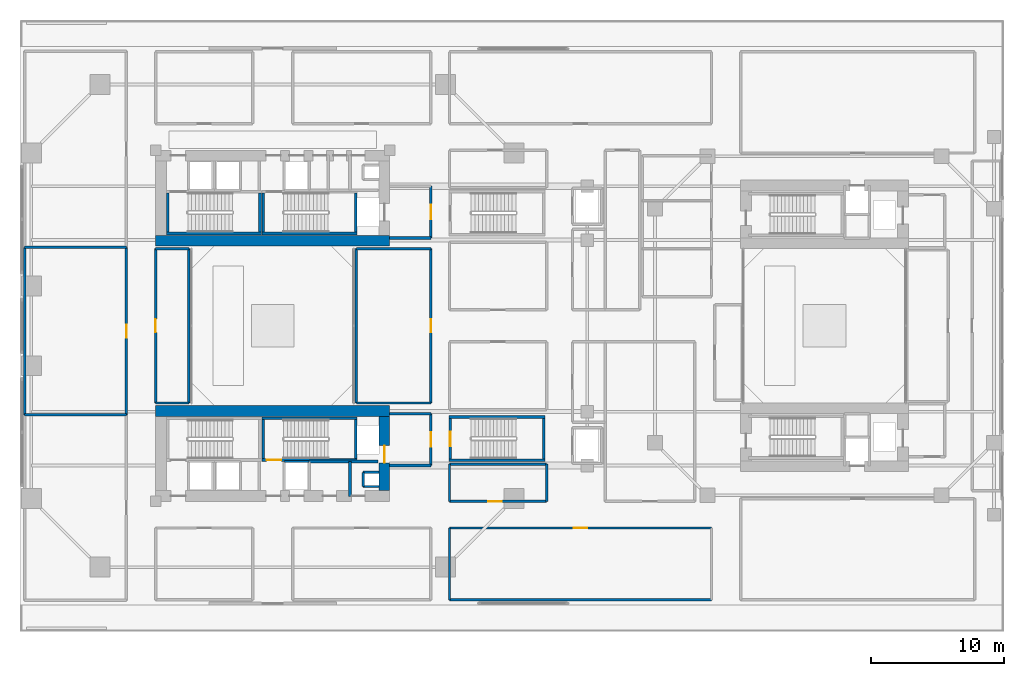
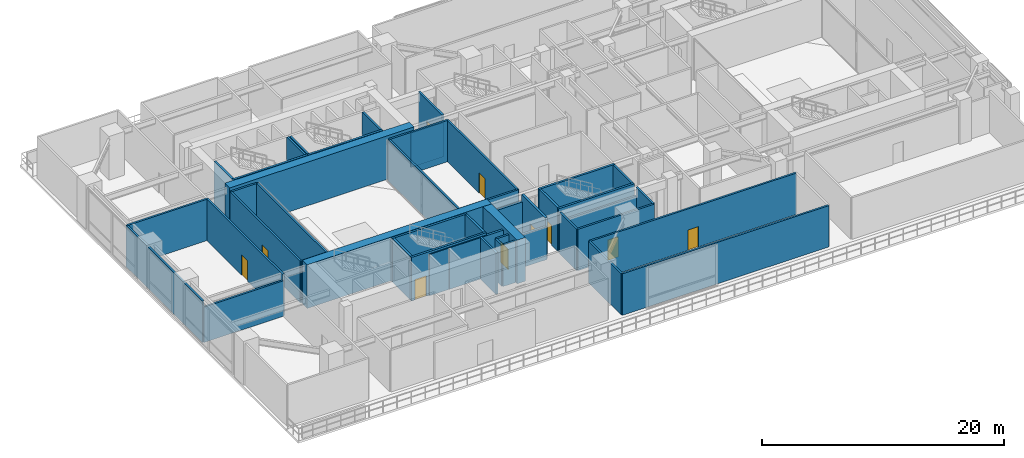
# One storey, part 11 of 19: 47 walls, 10 doors, 10 openings.
"""IFC4 building model written with IfcOpenShell, lengths in metres."""

from ifc_helpers import new_model, si_unit, direction, frame, frame_2d, origin, place, context, subcontext, project, spatial, rectangle, extrude, source, transform, mapped, material, layer, layer_set, type_object, element, fill, save


model = new_model("IFC4")

# Units and contexts
model_context = context("Model", 3, precision=1e-05, world=origin(), true_north=direction((0.0, 1.0)))
body_context = subcontext(model_context, "Body", "Model", "MODEL_VIEW")
ifc_project = project(units=[si_unit("LENGTHUNIT", "METRE"), si_unit("AREAUNIT", "SQUARE_METRE"), si_unit("VOLUMEUNIT", "CUBIC_METRE"), si_unit("PLANEANGLEUNIT", "RADIAN"), si_unit("MASSUNIT", "GRAM", prefix="KILO"), si_unit("THERMODYNAMICTEMPERATUREUNIT", "KELVIN"), si_unit("POWERUNIT", "WATT")], contexts=[model_context])

# Site, building, storey
site_placement = place(None, origin())
site = spatial("IfcSite", under=ifc_project, at=site_placement, CompositionType="ELEMENT")
building_placement = place(site_placement, origin())
building = spatial("IfcBuilding", under=site, at=building_placement, Name="Qiaomeng Ring Towers", CompositionType="ELEMENT")
storey_placement = place(building_placement, frame((0.0, 0.0, 5.0)))
storey = spatial("IfcBuildingStorey", under=building, at=storey_placement, Name="L01", CompositionType="ELEMENT", Elevation=5.0)

# Wall
ifc_material_1 = material(Name="Autoclaved aerated concrete block", Category="concrete")
ifc_layer_1 = layer(ifc_material_1, 0.199951171875, Name="Autoclaved aerated concrete block")
ifc_layer_set_1 = layer_set([ifc_layer_1], Name="Autoclaved aerated concrete block")
wall_type_1 = type_object("IfcWallType", Name="ARC-WL-PW1", PredefinedType="PARTITIONING", material=ifc_layer_set_1)
wall_1_placement = place(storey_placement, frame((27.800048828125, 29.60009765625, 0.0), z_axis=(0.0, 0.0, 1.0), x_axis=(1.0, 0.0, 0.0)))
element("IfcWall", 1, at=wall_1_placement, inside=storey, type_object=wall_type_1, Name="L01 Interior Wall PW1", PredefinedType="PARTITIONING", context=body_context, shape_type="SweptSolid", body=[
    extrude(rectangle(XDim=3.099853515625, YDim=0.199951171875, at=frame_2d((1.5498046875, 0.0))), origin(), (0.0, 0.0, 1.0), 3.47509765625),
])

# Wall, opening, door
wall_2_placement = place(storey_placement, frame((30.89990234375, 29.60009765625, 0.0), z_axis=(0.0, 0.0, 1.0), x_axis=(0.0, 1.0, 0.0)))
wall_2 = element("IfcWall", 2, at=wall_2_placement, inside=storey, type_object=wall_type_1, Name="L01 Interior Wall PW1", PredefinedType="PARTITIONING", context=body_context, shape_type="SweptSolid", body=[
    extrude(rectangle(XDim=3.89990234375, YDim=0.199951171875, at=frame_2d((1.949951171875, 0.0))), origin(), (0.0, 0.0, 1.0), 4.179931640625),
])
opening_1_placement = place(wall_2_placement, frame((1.39990234375, 0.0, 0.0)))
opening_1 = element("IfcOpeningElement", 3, at=opening_1_placement, cuts=wall_2, Name="Opening FD3", PredefinedType="OPENING", context=body_context, shape_type="SweptSolid", body=[
    extrude(rectangle(XDim=1.10009765625, YDim=2.050048828125, at=frame_2d((0.550048828125, 1.02490234375))), frame((0.0, 0.10986328125, 0.0), z_axis=(0.0, -1.0, 0.0), x_axis=(1.0, 0.0, 0.0)), (0.0, 0.0, 1.0), 0.219970703125),
])
ifc_material_2 = material(Name="Galvanised steel", Category="steel")
door_type_1 = type_object("IfcDoorType", Name="ARC-DR-FD3", OperationType="NOTDEFINED", PredefinedType="DOOR", material=ifc_material_2)
shared_shape_1 = source(origin(), body_context, "Body", "SweptSolid", [
    extrude(rectangle(XDim=1.10009765625, YDim=2.050048828125, at=frame_2d((0.550048828125, 1.02490234375))), frame((0.0, 0.02490234375, 0.0), z_axis=(0.0, -1.0, 0.0), x_axis=(1.0, 0.0, 0.0)), (0.0, 0.0, 1.0), 0.050048828125),
])
door_1_placement = place(opening_1_placement, origin())
door_1 = element("IfcDoor", 4, at=door_1_placement, inside=storey, type_object=door_type_1, Name="L01 North FF Lobby Door", OperationType="SINGLE_SWING_RIGHT", OverallHeight=2.050048828125, OverallWidth=1.10009765625, PredefinedType="DOOR", context=body_context, shape_type="MappedRepresentation", body=[
    mapped(shared_shape_1, transform((0.0, 0.0, 0.0), x_axis=(1.0, 0.0, 0.0), y_axis=(0.0, 1.0, 0.0), z_axis=(0.0, 0.0, 1.0), scale=1.0)),
])
fill(opening_1, door_1)

# Walls
wall_3_placement = place(storey_placement, frame((27.800048828125, 16.39990234375, 0.0), z_axis=(0.0, 0.0, 1.0), x_axis=(1.0, 0.0, 0.0)))
element("IfcWall", 5, at=wall_3_placement, inside=storey, type_object=wall_type_1, Name="L01 Interior Wall PW1", PredefinedType="PARTITIONING", context=body_context, shape_type="SweptSolid", body=[
    extrude(rectangle(XDim=3.099853515625, YDim=0.199951171875, at=frame_2d((1.5498046875, 0.0))), origin(), (0.0, 0.0, 1.0), 3.47509765625),
])
wall_4_placement = place(storey_placement, frame((27.800048828125, 12.5, 0.0), z_axis=(0.0, 0.0, 1.0), x_axis=(1.0, 0.0, 0.0)))
element("IfcWall", 6, at=wall_4_placement, inside=storey, type_object=wall_type_1, Name="L01 Interior Wall PW1", PredefinedType="PARTITIONING", context=body_context, shape_type="SweptSolid", body=[
    extrude(rectangle(XDim=3.099853515625, YDim=0.199951171875, at=frame_2d((1.5498046875, 0.0))), origin(), (0.0, 0.0, 1.0), 3.324951171875),
])

# Wall, opening, door
wall_5_placement = place(storey_placement, frame((30.89990234375, 12.5, 0.0), z_axis=(0.0, 0.0, 1.0), x_axis=(0.0, 1.0, 0.0)))
wall_5 = element("IfcWall", 7, at=wall_5_placement, inside=storey, type_object=wall_type_1, Name="L01 Interior Wall PW1", PredefinedType="PARTITIONING", context=body_context, shape_type="SweptSolid", body=[
    extrude(rectangle(XDim=3.89990234375, YDim=0.199951171875, at=frame_2d((1.949951171875, 0.0))), origin(), (0.0, 0.0, 1.0), 4.179931640625),
])
opening_2_placement = place(wall_5_placement, frame((1.39990234375, 0.0, 0.0)))
opening_2 = element("IfcOpeningElement", 8, at=opening_2_placement, cuts=wall_5, Name="Opening FD3", PredefinedType="OPENING", context=body_context, shape_type="SweptSolid", body=[
    extrude(rectangle(XDim=1.10009765625, YDim=2.050048828125, at=frame_2d((0.550048828125, 1.02490234375))), frame((0.0, 0.10986328125, 0.0), z_axis=(0.0, -1.0, 0.0), x_axis=(1.0, 0.0, 0.0)), (0.0, 0.0, 1.0), 0.219970703125),
])
door_2_placement = place(opening_2_placement, origin())
door_2 = element("IfcDoor", 9, at=door_2_placement, inside=storey, type_object=door_type_1, Name="L01 South FF Lobby Door", OperationType="SINGLE_SWING_LEFT", OverallHeight=2.050048828125, OverallWidth=1.10009765625, PredefinedType="DOOR", context=body_context, shape_type="MappedRepresentation", body=[
    mapped(shared_shape_1, transform((0.0, 0.0, 0.0), x_axis=(1.0, 0.0, 0.0), y_axis=(0.0, 1.0, 0.0), z_axis=(0.0, 0.0, 1.0), scale=1.0)),
])
fill(opening_2, door_2)

# Walls
wall_6_placement = place(storey_placement, frame((24.820068359375, 10.14990234375, 0.0), z_axis=(0.0, 0.0, 1.0), x_axis=(0.0, 1.0, 0.0)))
element("IfcWall", 10, at=wall_6_placement, inside=storey, type_object=wall_type_1, Name="L01 Interior Wall PW1", PredefinedType="PARTITIONING", context=body_context, shape_type="SweptSolid", body=[
    extrude(rectangle(XDim=2.650146484375, YDim=0.199951171875, at=frame_2d((1.3251953125, 0.0))), origin(), (0.0, 0.0, 1.0), 4.179931640625),
])
wall_7_placement = place(storey_placement, frame((21.75, 12.800048828125, 0.0), z_axis=(0.0, 0.0, 1.0), x_axis=(1.0, 0.0, 0.0)))
element("IfcWall", 11, at=wall_7_placement, inside=storey, type_object=wall_type_1, Name="L01 Interior Wall PW1", PredefinedType="PARTITIONING", context=body_context, shape_type="SweptSolid", body=[
    extrude(rectangle(XDim=5.169921875, YDim=0.199951171875, at=frame_2d((2.5849609375, 0.0))), origin(), (0.0, 0.0, 1.0), 4.179931640625),
])
ifc_layer_2 = layer(ifc_material_1, 0.179931640625, Name="Autoclaved aerated concrete block")
ifc_layer_set_2 = layer_set([ifc_layer_2], Name="Autoclaved aerated concrete block")
wall_type_2 = type_object("IfcWallType", Name="ARC-WL-PW2", PredefinedType="PARTITIONING", material=ifc_layer_set_2)
wall_8_placement = place(storey_placement, frame((0.35009765625, 16.300048828125, 0.0), z_axis=(0.0, 0.0, 1.0), x_axis=(1.0, 0.0, 0.0)))
element("IfcWall", 12, at=wall_8_placement, inside=storey, type_object=wall_type_2, Name="L01 Interior Wall PW2", PredefinedType="PARTITIONING", context=body_context, shape_type="SweptSolid", body=[
    extrude(rectangle(XDim=7.64990234375, YDim=0.179931640625, at=frame_2d((3.824951171875, 0.0))), origin(), (0.0, 0.0, 1.0), 3.574951171875),
])
wall_9_placement = place(storey_placement, frame((0.35009765625, 28.89990234375, 0.0), z_axis=(0.0, 0.0, 1.0), x_axis=(1.0, 0.0, 0.0)))
element("IfcWall", 13, at=wall_9_placement, inside=storey, type_object=wall_type_2, Name="L01 Interior Wall PW2", PredefinedType="PARTITIONING", context=body_context, shape_type="SweptSolid", body=[
    extrude(rectangle(XDim=7.64990234375, YDim=0.179931640625, at=frame_2d((3.824951171875, 0.0))), origin(), (0.0, 0.0, 1.0), 4.179931640625),
])
wall_10_placement = place(storey_placement, frame((0.35009765625, 16.300048828125, 0.0), z_axis=(0.0, 0.0, 1.0), x_axis=(0.0, 1.0, 0.0)))
element("IfcWall", 14, at=wall_10_placement, inside=storey, type_object=wall_type_2, Name="L01 Interior Wall PW2", PredefinedType="PARTITIONING", context=body_context, shape_type="SweptSolid", body=[
    extrude(rectangle(XDim=12.599853515625, YDim=0.179931640625, at=frame_2d((6.2998046875, 0.0))), origin(), (0.0, 0.0, 1.0), 4.179931640625),
])

# Wall, opening, door
wall_11_placement = place(storey_placement, frame((8.0, 16.300048828125, 0.0), z_axis=(0.0, 0.0, 1.0), x_axis=(0.0, 1.0, 0.0)))
wall_11 = element("IfcWall", 15, at=wall_11_placement, inside=storey, type_object=wall_type_2, Name="L01 Interior Wall PW2", PredefinedType="PARTITIONING", context=body_context, shape_type="SweptSolid", body=[
    extrude(rectangle(XDim=12.599853515625, YDim=0.179931640625, at=frame_2d((6.2998046875, 0.0))), origin(), (0.0, 0.0, 1.0), 4.179931640625),
])
opening_3_placement = place(wall_11_placement, frame((5.800048828125, 0.0, 0.0)))
opening_3 = element("IfcOpeningElement", 16, at=opening_3_placement, cuts=wall_11, Name="Opening FD4", PredefinedType="OPENING", context=body_context, shape_type="SweptSolid", body=[
    extrude(rectangle(XDim=1.0, YDim=2.050048828125, at=frame_2d((0.5, 1.02490234375))), frame((0.0, 0.099853515625, 0.0), z_axis=(0.0, -1.0, 0.0), x_axis=(1.0, 0.0, 0.0)), (0.0, 0.0, 1.0), 0.199951171875),
])
ifc_material_3 = material(Name="Engineered fire-rated oak timber", Category="wood")
door_type_2 = type_object("IfcDoorType", Name="ARC-DR-FD4", OperationType="NOTDEFINED", PredefinedType="DOOR", material=ifc_material_3)
shared_shape_2 = source(origin(), body_context, "Body", "SweptSolid", [
    extrude(rectangle(XDim=1.0, YDim=2.050048828125, at=frame_2d((0.5, 1.02490234375))), frame((0.0, 0.02490234375, 0.0), z_axis=(0.0, -1.0, 0.0), x_axis=(1.0, 0.0, 0.0)), (0.0, 0.0, 1.0), 0.050048828125),
])
door_3_placement = place(opening_3_placement, origin())
door_3 = element("IfcDoor", 17, at=door_3_placement, inside=storey, type_object=door_type_2, Name="L01 L01 Specialist Consultation Office Door", OperationType="SINGLE_SWING_LEFT", OverallHeight=2.050048828125, OverallWidth=1.0, PredefinedType="DOOR", context=body_context, shape_type="MappedRepresentation", body=[
    mapped(shared_shape_2, transform((0.0, 0.0, 0.0), x_axis=(1.0, 0.0, 0.0), y_axis=(0.0, 1.0, 0.0), z_axis=(0.0, 0.0, 1.0), scale=1.0)),
])
fill(opening_3, door_3)

# Walls
for number, where, z_axis, x_axis, name in (
    (18, (10.199951171875, 17.199951171875, 0.0), (0.0, 0.0, 1.0), (1.0, 0.0, 0.0), "L01 Interior Wall PW2"),
    (19, (10.199951171875, 28.800048828125, 0.0), (0.0, 0.0, 1.0), (1.0, 0.0, 0.0), "L01 Interior Wall PW2"),
):
    element("IfcWall", number, at=place(storey_placement, frame(where, z_axis=z_axis, x_axis=x_axis)), inside=storey, type_object=wall_type_2, Name=name, PredefinedType="PARTITIONING", context=body_context, shape_type="SweptSolid", body=[
        extrude(rectangle(XDim=2.5, YDim=0.179931640625, at=frame_2d((1.25, 0.0))), origin(), (0.0, 0.0, 1.0), 4.179931640625),
    ])

# Wall, opening, door
wall_12_placement = place(storey_placement, frame((10.199951171875, 17.199951171875, 0.0), z_axis=(0.0, 0.0, 1.0), x_axis=(0.0, 1.0, 0.0)))
wall_12 = element("IfcWall", 20, at=wall_12_placement, inside=storey, type_object=wall_type_2, Name="L01 Interior Wall PW2", PredefinedType="PARTITIONING", context=body_context, shape_type="SweptSolid", body=[
    extrude(rectangle(XDim=11.60009765625, YDim=0.179931640625, at=frame_2d((5.800048828125, 0.0))), origin(), (0.0, 0.0, 1.0), 4.179931640625),
])
opening_4_placement = place(wall_12_placement, frame((5.300048828125, 0.0, 0.0)))
opening_4 = element("IfcOpeningElement", 21, at=opening_4_placement, cuts=wall_12, Name="Opening FD4", PredefinedType="OPENING", context=body_context, shape_type="SweptSolid", body=[
    extrude(rectangle(XDim=1.0, YDim=2.050048828125, at=frame_2d((0.5, 1.02490234375))), frame((0.0, 0.099853515625, 0.0), z_axis=(0.0, -1.0, 0.0), x_axis=(1.0, 0.0, 0.0)), (0.0, 0.0, 1.0), 0.199951171875),
])
door_4_placement = place(opening_4_placement, origin())
door_4 = element("IfcDoor", 22, at=door_4_placement, inside=storey, type_object=door_type_2, Name="L01 L01 Internal Medicine Suite Door", OperationType="SINGLE_SWING_LEFT", OverallHeight=2.050048828125, OverallWidth=1.0, PredefinedType="DOOR", context=body_context, shape_type="MappedRepresentation", body=[
    mapped(shared_shape_2, transform((0.0, 0.0, 0.0), x_axis=(1.0, 0.0, 0.0), y_axis=(0.0, 1.0, 0.0), z_axis=(0.0, 0.0, 1.0), scale=1.0)),
])
fill(opening_4, door_4)

# Walls
wall_13_placement = place(storey_placement, frame((12.699951171875, 17.199951171875, 0.0), z_axis=(0.0, 0.0, 1.0), x_axis=(0.0, 1.0, 0.0)))
element("IfcWall", 23, at=wall_13_placement, inside=storey, type_object=wall_type_2, Name="L01 Interior Wall PW2", PredefinedType="PARTITIONING", context=body_context, shape_type="SweptSolid", body=[
    extrude(rectangle(XDim=11.60009765625, YDim=0.179931640625, at=frame_2d((5.800048828125, 0.0))), origin(), (0.0, 0.0, 1.0), 4.179931640625),
])
for number, where, z_axis, x_axis, name in (
    (24, (25.300048828125, 17.199951171875, 0.0), (0.0, 0.0, 1.0), (1.0, 0.0, 0.0), "L01 Interior Wall PW2"),
    (25, (25.300048828125, 28.800048828125, 0.0), (0.0, 0.0, 1.0), (1.0, 0.0, 0.0), "L01 Interior Wall PW2"),
):
    element("IfcWall", number, at=place(storey_placement, frame(where, z_axis=z_axis, x_axis=x_axis)), inside=storey, type_object=wall_type_2, Name=name, PredefinedType="PARTITIONING", context=body_context, shape_type="SweptSolid", body=[
        extrude(rectangle(XDim=5.599853515625, YDim=0.179931640625, at=frame_2d((2.7998046875, 0.0))), origin(), (0.0, 0.0, 1.0), 4.179931640625),
    ])
wall_14_placement = place(storey_placement, frame((25.300048828125, 17.199951171875, 0.0), z_axis=(0.0, 0.0, 1.0), x_axis=(0.0, 1.0, 0.0)))
element("IfcWall", 26, at=wall_14_placement, inside=storey, type_object=wall_type_2, Name="L01 Interior Wall PW2", PredefinedType="PARTITIONING", context=body_context, shape_type="SweptSolid", body=[
    extrude(rectangle(XDim=11.60009765625, YDim=0.179931640625, at=frame_2d((5.800048828125, 0.0))), origin(), (0.0, 0.0, 1.0), 4.179931640625),
])

# Wall, opening, door
wall_15_placement = place(storey_placement, frame((30.89990234375, 17.199951171875, 0.0), z_axis=(0.0, 0.0, 1.0), x_axis=(0.0, 1.0, 0.0)))
wall_15 = element("IfcWall", 27, at=wall_15_placement, inside=storey, type_object=wall_type_2, Name="L01 Interior Wall PW2", PredefinedType="PARTITIONING", context=body_context, shape_type="SweptSolid", body=[
    extrude(rectangle(XDim=11.60009765625, YDim=0.179931640625, at=frame_2d((5.800048828125, 0.0))), origin(), (0.0, 0.0, 1.0), 4.179931640625),
])
opening_5_placement = place(wall_15_placement, frame((5.300048828125, 0.0, 0.0)))
opening_5 = element("IfcOpeningElement", 28, at=opening_5_placement, cuts=wall_15, Name="Opening FD4", PredefinedType="OPENING", context=body_context, shape_type="SweptSolid", body=[
    extrude(rectangle(XDim=1.0, YDim=2.050048828125, at=frame_2d((0.5, 1.02490234375))), frame((0.0, 0.099853515625, 0.0), z_axis=(0.0, -1.0, 0.0), x_axis=(1.0, 0.0, 0.0)), (0.0, 0.0, 1.0), 0.199951171875),
])
door_5_placement = place(opening_5_placement, origin())
door_5 = element("IfcDoor", 29, at=door_5_placement, inside=storey, type_object=door_type_2, Name="L01 L01 Traditional Medicine Clinic Door", OperationType="SINGLE_SWING_RIGHT", OverallHeight=2.050048828125, OverallWidth=1.0, PredefinedType="DOOR", context=body_context, shape_type="MappedRepresentation", body=[
    mapped(shared_shape_2, transform((0.0, 0.0, 0.0), x_axis=(1.0, 0.0, 0.0), y_axis=(0.0, 1.0, 0.0), z_axis=(0.0, 0.0, 1.0), scale=1.0)),
])
fill(opening_5, door_5)

wall_16_placement = place(storey_placement, frame((32.300048828125, 9.800048828125, 0.0), z_axis=(0.0, 0.0, 1.0), x_axis=(1.0, 0.0, 0.0)))
wall_16 = element("IfcWall", 30, at=wall_16_placement, inside=storey, type_object=wall_type_2, Name="L01 Interior Wall PW2", PredefinedType="PARTITIONING", context=body_context, shape_type="SweptSolid", body=[
    extrude(rectangle(XDim=7.300048828125, YDim=0.179931640625, at=frame_2d((3.64990234375, 0.0))), origin(), (0.0, 0.0, 1.0), 4.179931640625),
])
opening_6_placement = place(wall_16_placement, frame((2.9169921875, 0.0, 0.0)))
opening_6 = element("IfcOpeningElement", 31, at=opening_6_placement, cuts=wall_16, Name="Opening FD4", PredefinedType="OPENING", context=body_context, shape_type="SweptSolid", body=[
    extrude(rectangle(XDim=1.0, YDim=2.050048828125, at=frame_2d((0.5, 1.02490234375))), frame((0.0, 0.099853515625, 0.0), z_axis=(0.0, -1.0, 0.0), x_axis=(1.0, 0.0, 0.0)), (0.0, 0.0, 1.0), 0.199951171875),
])
door_6_placement = place(opening_6_placement, origin())
door_6 = element("IfcDoor", 32, at=door_6_placement, inside=storey, type_object=door_type_2, Name="L01 L01 Dermatology Treatment Room Door", OperationType="SINGLE_SWING_RIGHT", OverallHeight=2.050048828125, OverallWidth=1.0, PredefinedType="DOOR", context=body_context, shape_type="MappedRepresentation", body=[
    mapped(shared_shape_2, transform((0.0, 0.0, 0.0), x_axis=(1.0, 0.0, 0.0), y_axis=(0.0, 1.0, 0.0), z_axis=(0.0, 0.0, 1.0), scale=1.0)),
])
fill(opening_6, door_6)

# Walls
wall_17_placement = place(storey_placement, frame((32.300048828125, 12.60009765625, 0.0), z_axis=(0.0, 0.0, 1.0), x_axis=(1.0, 0.0, 0.0)))
element("IfcWall", 33, at=wall_17_placement, inside=storey, type_object=wall_type_2, Name="L01 Interior Wall PW2", PredefinedType="PARTITIONING", context=body_context, shape_type="SweptSolid", body=[
    extrude(rectangle(XDim=7.300048828125, YDim=0.179931640625, at=frame_2d((3.64990234375, 0.0))), origin(), (0.0, 0.0, 1.0), 3.324951171875),
])
for number, where, z_axis, x_axis, name in (
    (34, (32.300048828125, 9.800048828125, 0.0), (0.0, 0.0, 1.0), (0.0, 1.0, 0.0), "L01 Interior Wall PW2"),
    (35, (39.60009765625, 9.800048828125, 0.0), (0.0, 0.0, 1.0), (0.0, 1.0, 0.0), "L01 Interior Wall PW2"),
):
    element("IfcWall", number, at=place(storey_placement, frame(where, z_axis=z_axis, x_axis=x_axis)), inside=storey, type_object=wall_type_2, Name=name, PredefinedType="PARTITIONING", context=body_context, shape_type="SweptSolid", body=[
        extrude(rectangle(XDim=2.800048828125, YDim=0.179931640625, at=frame_2d((1.39990234375, 0.0))), origin(), (0.0, 0.0, 1.0), 4.179931640625),
    ])
wall_18_placement = place(storey_placement, frame((32.300048828125, 2.39990234375, 0.0), z_axis=(0.0, 0.0, 1.0), x_axis=(1.0, 0.0, 0.0)))
element("IfcWall", 36, at=wall_18_placement, inside=storey, type_object=wall_type_2, Name="L01 Interior Wall PW2", PredefinedType="PARTITIONING", context=body_context, shape_type="SweptSolid", body=[
    extrude(rectangle(XDim=19.699951171875, YDim=0.179931640625, at=frame_2d((9.85009765625, 0.0))), origin(), (0.0, 0.0, 1.0), 4.179931640625),
])

# Wall, opening, door
wall_19_placement = place(storey_placement, frame((32.300048828125, 7.800048828125, 0.0), z_axis=(0.0, 0.0, 1.0), x_axis=(1.0, 0.0, 0.0)))
wall_19 = element("IfcWall", 37, at=wall_19_placement, inside=storey, type_object=wall_type_2, Name="L01 Interior Wall PW2", PredefinedType="PARTITIONING", context=body_context, shape_type="SweptSolid", body=[
    extrude(rectangle(XDim=19.699951171875, YDim=0.179931640625, at=frame_2d((9.85009765625, 0.0))), origin(), (0.0, 0.0, 1.0), 4.179931640625),
])
opening_7_placement = place(wall_19_placement, frame((9.35009765625, 0.0, 0.0)))
opening_7 = element("IfcOpeningElement", 38, at=opening_7_placement, cuts=wall_19, Name="Opening FD4", PredefinedType="OPENING", context=body_context, shape_type="SweptSolid", body=[
    extrude(rectangle(XDim=1.0, YDim=2.050048828125, at=frame_2d((0.5, 1.02490234375))), frame((0.0, 0.099853515625, 0.0), z_axis=(0.0, -1.0, 0.0), x_axis=(1.0, 0.0, 0.0)), (0.0, 0.0, 1.0), 0.199951171875),
])
door_7_placement = place(opening_7_placement, origin())
door_7 = element("IfcDoor", 39, at=door_7_placement, inside=storey, type_object=door_type_2, Name="L01 L01 Outpatient Pharmacy Suite Door", OperationType="SINGLE_SWING_RIGHT", OverallHeight=2.050048828125, OverallWidth=1.0, PredefinedType="DOOR", context=body_context, shape_type="MappedRepresentation", body=[
    mapped(shared_shape_2, transform((0.0, 0.0, 0.0), x_axis=(1.0, 0.0, 0.0), y_axis=(0.0, 1.0, 0.0), z_axis=(0.0, 0.0, 1.0), scale=1.0)),
])
fill(opening_7, door_7)

# Walls
wall_20_placement = place(storey_placement, frame((32.300048828125, 2.39990234375, 0.0), z_axis=(0.0, 0.0, 1.0), x_axis=(0.0, 1.0, 0.0)))
element("IfcWall", 40, at=wall_20_placement, inside=storey, type_object=wall_type_2, Name="L01 Interior Wall PW2", PredefinedType="PARTITIONING", context=body_context, shape_type="SweptSolid", body=[
    extrude(rectangle(XDim=5.400146484375, YDim=0.179931640625, at=frame_2d((2.7001953125, 0.0))), origin(), (0.0, 0.0, 1.0), 4.179931640625),
])
ifc_material_4 = material(Name="Concrete C40", Category="concrete")
ifc_layer_3 = layer(ifc_material_4, 0.199951171875, Name="Concrete C40")
ifc_layer_set_3 = layer_set([ifc_layer_3], Name="Concrete C40")
wall_type_3 = type_object("IfcWallType", Name="STR-WL-STSHAFT", PredefinedType="SHEAR", material=ifc_layer_set_3)
wall_21_placement = place(storey_placement, frame((25.800048828125, 10.919921875, 0.0), z_axis=(0.0, 0.0, 1.0), x_axis=(0.0, 1.0, 0.0)))
element("IfcWall", 41, at=wall_21_placement, inside=storey, type_object=wall_type_3, Name="L01 Riser RSR1 West Shaft Wall S", PredefinedType="SHEAR", context=body_context, shape_type="SweptSolid", body=[
    extrude(rectangle(XDim=1.06005859375, YDim=0.179931640625, at=frame_2d((0.530029296875, 0.0))), origin(), (0.0, 0.0, 1.0), 4.179931640625),
])
for number, where, z_axis, x_axis, name in (
    (42, (25.800048828125, 11.97998046875, 0.0), (0.0, 0.0, 1.0), (1.0, 0.0, 0.0), "L01 Riser RSR1 North Shaft Wall S"),
    (43, (25.800048828125, 10.919921875, 0.0), (0.0, 0.0, 1.0), (1.0, 0.0, 0.0), "L01 Riser RSR1 South Shaft Wall S"),
):
    element("IfcWall", number, at=place(storey_placement, frame(where, z_axis=z_axis, x_axis=x_axis)), inside=storey, type_object=wall_type_3, Name=name, PredefinedType="SHEAR", context=body_context, shape_type="SweptSolid", body=[
        extrude(rectangle(XDim=1.199951171875, YDim=0.179931640625, at=frame_2d((0.60009765625, 0.0))), origin(), (0.0, 0.0, 1.0), 4.179931640625),
    ])
wall_22_placement = place(storey_placement, frame((19.8798828125, 12.800048828125, 0.0), z_axis=(0.0, 0.0, 1.0), x_axis=(1.0, 0.0, 0.0)))
element("IfcWall", 44, at=wall_22_placement, inside=storey, type_object=wall_type_3, Name="L01 Lift LP2 Shaft Back Wall", PredefinedType="SHEAR", context=body_context, shape_type="SweptSolid", body=[
    extrude(rectangle(XDim=1.8701171875, YDim=0.179931640625, at=frame_2d((0.93505859375, 0.0))), origin(), (0.0, 0.0, 1.0), 4.179931640625),
])
wall_23_placement = place(storey_placement, frame((11.0, 29.949951171875, 0.0), z_axis=(0.0, 0.0, 1.0), x_axis=(1.0, 0.0, 0.0)))
element("IfcWall", 45, at=wall_23_placement, inside=storey, type_object=wall_type_3, Name="L01 Stair ST1 South Shaft Shear Wall", PredefinedType="SHEAR", context=body_context, shape_type="SweptSolid", body=[
    extrude(rectangle(XDim=7.14990234375, YDim=0.199951171875, at=frame_2d((3.574951171875, 0.0))), origin(), (0.0, 0.0, 1.0), 4.39990234375),
])
for number, where, z_axis, x_axis, name in (
    (46, (11.10009765625, 30.050048828125, 0.0), (0.0, 0.0, 1.0), (0.0, 1.0, 0.0), "L01 Stair ST1 West Shaft Shear Wall"),
    (47, (18.050048828125, 30.050048828125, 0.0), (0.0, 0.0, 1.0), (0.0, 1.0, 0.0), "L01 Stair ST1 East Shaft Shear Wall"),
):
    element("IfcWall", number, at=place(storey_placement, frame(where, z_axis=z_axis, x_axis=x_axis)), inside=storey, type_object=wall_type_3, Name=name, PredefinedType="SHEAR", context=body_context, shape_type="SweptSolid", body=[
        extrude(rectangle(XDim=2.93994140625, YDim=0.199951171875, at=frame_2d((1.469970703125, 0.0))), origin(), (0.0, 0.0, 1.0), 4.39990234375),
    ])
wall_24_placement = place(storey_placement, frame((18.199951171875, 29.949951171875, 0.0), z_axis=(0.0, 0.0, 1.0), x_axis=(1.0, 0.0, 0.0)))
element("IfcWall", 48, at=wall_24_placement, inside=storey, type_object=wall_type_3, Name="L01 Stair ST2 South Shaft Shear Wall", PredefinedType="SHEAR", context=body_context, shape_type="SweptSolid", body=[
    extrude(rectangle(XDim=7.150146484375, YDim=0.199951171875, at=frame_2d((3.5751953125, 0.0))), origin(), (0.0, 0.0, 1.0), 4.39990234375),
])
for number, where, z_axis, x_axis, name in (
    (49, (18.300048828125, 30.050048828125, 0.0), (0.0, 0.0, 1.0), (0.0, 1.0, 0.0), "L01 Stair ST2 West Shaft Shear Wall"),
    (50, (25.25, 30.050048828125, 0.0), (0.0, 0.0, 1.0), (0.0, 1.0, 0.0), "L01 Stair ST2 East Shaft Shear Wall"),
):
    element("IfcWall", number, at=place(storey_placement, frame(where, z_axis=z_axis, x_axis=x_axis)), inside=storey, type_object=wall_type_3, Name=name, PredefinedType="SHEAR", context=body_context, shape_type="SweptSolid", body=[
        extrude(rectangle(XDim=2.93994140625, YDim=0.199951171875, at=frame_2d((1.469970703125, 0.0))), origin(), (0.0, 0.0, 1.0), 4.39990234375),
    ])

# Wall, opening, door
wall_25_placement = place(storey_placement, frame((18.199951171875, 12.909912109375, 0.0), z_axis=(0.0, 0.0, 1.0), x_axis=(1.0, 0.0, 0.0)))
wall_25 = element("IfcWall", 51, at=wall_25_placement, inside=storey, type_object=wall_type_3, Name="L01 Stair ST4 South Shaft Shear Wall", PredefinedType="SHEAR", context=body_context, shape_type="SweptSolid", body=[
    extrude(rectangle(XDim=7.150146484375, YDim=0.199951171875, at=frame_2d((3.5751953125, 0.0))), origin(), (0.0, 0.0, 1.0), 4.39990234375),
])
opening_8_placement = place(wall_25_placement, frame((0.35009765625, 0.0, 0.0)))
opening_8 = element("IfcOpeningElement", 52, at=opening_8_placement, cuts=wall_25, Name="Opening FD3", PredefinedType="OPENING", context=body_context, shape_type="SweptSolid", body=[
    extrude(rectangle(XDim=1.10009765625, YDim=2.050048828125, at=frame_2d((0.550048828125, 1.02490234375))), frame((0.0, 0.10986328125, 0.0), z_axis=(0.0, -1.0, 0.0), x_axis=(1.0, 0.0, 0.0)), (0.0, 0.0, 1.0), 0.219970703125),
])
door_8_placement = place(opening_8_placement, frame((1.10009765625, 0.0, 0.0), z_axis=(0.0, 0.0, 1.0), x_axis=(-1.0, 0.0, 0.0)))
door_8 = element("IfcDoor", 53, at=door_8_placement, inside=storey, type_object=door_type_1, Name="L01 Stair ST4 Exit Door", OperationType="SINGLE_SWING_LEFT", OverallHeight=2.050048828125, OverallWidth=1.10009765625, PredefinedType="DOOR", context=body_context, shape_type="MappedRepresentation", body=[
    mapped(shared_shape_1, transform((0.0, 0.0, 0.0), x_axis=(1.0, 0.0, 0.0), y_axis=(0.0, 1.0, 0.0), z_axis=(0.0, 0.0, 1.0), scale=1.0)),
])
fill(opening_8, door_8)

# Walls
wall_26_placement = place(storey_placement, frame((18.199951171875, 16.050048828125, 0.0), z_axis=(0.0, 0.0, 1.0), x_axis=(1.0, 0.0, 0.0)))
element("IfcWall", 54, at=wall_26_placement, inside=storey, type_object=wall_type_3, Name="L01 Stair ST4 North Shaft Shear Wall", PredefinedType="SHEAR", context=body_context, shape_type="SweptSolid", body=[
    extrude(rectangle(XDim=7.150146484375, YDim=0.199951171875, at=frame_2d((3.5751953125, 0.0))), origin(), (0.0, 0.0, 1.0), 4.39990234375),
])
for number, where, z_axis, x_axis, name in (
    (55, (18.300048828125, 13.010009765625, 0.0), (0.0, 0.0, 1.0), (0.0, 1.0, 0.0), "L01 Stair ST4 West Shaft Shear Wall"),
    (56, (25.25, 13.010009765625, 0.0), (0.0, 0.0, 1.0), (0.0, 1.0, 0.0), "L01 Stair ST4 East Shaft Shear Wall"),
):
    element("IfcWall", number, at=place(storey_placement, frame(where, z_axis=z_axis, x_axis=x_axis)), inside=storey, type_object=wall_type_3, Name=name, PredefinedType="SHEAR", context=body_context, shape_type="SweptSolid", body=[
        extrude(rectangle(XDim=2.93994140625, YDim=0.199951171875, at=frame_2d((1.469970703125, 0.0))), origin(), (0.0, 0.0, 1.0), 4.39990234375),
    ])
for number, where, z_axis, x_axis, name in (
    (57, (32.25, 12.89990234375, 0.0), (0.0, 0.0, 1.0), (1.0, 0.0, 0.0), "L01 Stair ST8 South Shaft Shear Wall"),
    (58, (32.25, 16.139892578125, 0.0), (0.0, 0.0, 1.0), (1.0, 0.0, 0.0), "L01 Stair ST8 North Shaft Shear Wall"),
):
    element("IfcWall", number, at=place(storey_placement, frame(where, z_axis=z_axis, x_axis=x_axis)), inside=storey, type_object=wall_type_3, Name=name, PredefinedType="SHEAR", context=body_context, shape_type="SweptSolid", body=[
        extrude(rectangle(XDim=7.25, YDim=0.199951171875, at=frame_2d((3.625, 0.0))), origin(), (0.0, 0.0, 1.0), 4.39990234375),
    ])

# Wall, opening, door
wall_27_placement = place(storey_placement, frame((32.35009765625, 13.0, 0.0), z_axis=(0.0, 0.0, 1.0), x_axis=(0.0, 1.0, 0.0)))
wall_27 = element("IfcWall", 59, at=wall_27_placement, inside=storey, type_object=wall_type_3, Name="L01 Stair ST8 West Shaft Shear Wall", PredefinedType="SHEAR", context=body_context, shape_type="SweptSolid", body=[
    extrude(rectangle(XDim=3.0400390625, YDim=0.199951171875, at=frame_2d((1.52001953125, 0.0))), origin(), (0.0, 0.0, 1.0), 4.39990234375),
])
opening_9_placement = place(wall_27_placement, frame((0.949951171875, 0.0, 0.0)))
opening_9 = element("IfcOpeningElement", 60, at=opening_9_placement, cuts=wall_27, Name="Opening FD3", PredefinedType="OPENING", context=body_context, shape_type="SweptSolid", body=[
    extrude(rectangle(XDim=1.10009765625, YDim=2.050048828125, at=frame_2d((0.550048828125, 1.02490234375))), frame((0.0, 0.10986328125, 0.0), z_axis=(0.0, -1.0, 0.0), x_axis=(1.0, 0.0, 0.0)), (0.0, 0.0, 1.0), 0.219970703125),
])
door_9_placement = place(opening_9_placement, origin())
door_9 = element("IfcDoor", 61, at=door_9_placement, inside=storey, type_object=door_type_1, Name="L01 Podium Stair ST8 Exit Door", OperationType="SINGLE_SWING_RIGHT", OverallHeight=2.050048828125, OverallWidth=1.10009765625, PredefinedType="DOOR", context=body_context, shape_type="MappedRepresentation", body=[
    mapped(shared_shape_1, transform((0.0, 0.0, 0.0), x_axis=(1.0, 0.0, 0.0), y_axis=(0.0, 1.0, 0.0), z_axis=(0.0, 0.0, 1.0), scale=1.0)),
])
fill(opening_9, door_9)

# Walls
wall_28_placement = place(storey_placement, frame((39.39990234375, 13.0, 0.0), z_axis=(0.0, 0.0, 1.0), x_axis=(0.0, 1.0, 0.0)))
element("IfcWall", 62, at=wall_28_placement, inside=storey, type_object=wall_type_3, Name="L01 Stair ST8 East Shaft Shear Wall", PredefinedType="SHEAR", context=body_context, shape_type="SweptSolid", body=[
    extrude(rectangle(XDim=3.0400390625, YDim=0.199951171875, at=frame_2d((1.52001953125, 0.0))), origin(), (0.0, 0.0, 1.0), 4.39990234375),
])
ifc_material_5 = material(Name="Concrete C60", Category="concrete")
ifc_layer_4 = layer(ifc_material_5, 0.800048828125, Name="Concrete C60")
ifc_layer_set_4 = layer_set([ifc_layer_4], Name="Concrete C60")
wall_type_4 = type_object("IfcWallType", Name="STR-WL-SW1", PredefinedType="SHEAR", material=ifc_layer_set_4)
for number, where, z_axis, x_axis, name in (
    (63, (10.199951171875, 29.39990234375, 0.0), (0.0, 0.0, 1.0), (1.0, 0.0, 0.0), "L01 T1NC south core shear wall"),
    (64, (10.199951171875, 16.60009765625, 0.0), (0.0, 0.0, 1.0), (1.0, 0.0, 0.0), "L01 T1SC north core shear wall"),
):
    element("IfcWall", number, at=place(storey_placement, frame(where, z_axis=z_axis, x_axis=x_axis)), inside=storey, type_object=wall_type_4, Name=name, PredefinedType="SHEAR", context=body_context, shape_type="SweptSolid", body=[
        extrude(rectangle(XDim=17.60009765625, YDim=0.800048828125, at=frame_2d((8.800048828125, 0.0))), origin(), (0.0, 0.0, 1.0), 4.39990234375),
    ])

# Wall, opening, door
wall_29_placement = place(storey_placement, frame((27.39990234375, 10.60009765625, 0.0), z_axis=(0.0, 0.0, 1.0), x_axis=(0.0, 1.0, 0.0)))
wall_29 = element("IfcWall", 65, at=wall_29_placement, inside=storey, type_object=wall_type_4, Name="L01 T1SC east core shear wall", PredefinedType="SHEAR", context=body_context, shape_type="SweptSolid", body=[
    extrude(rectangle(XDim=5.599853515625, YDim=0.800048828125, at=frame_2d((2.7998046875, 0.0))), origin(), (0.0, 0.0, 1.0), 4.39990234375),
])
opening_10_placement = place(wall_29_placement, frame((2.10009765625, 0.0, 0.0)))
opening_10 = element("IfcOpeningElement", 66, at=opening_10_placement, cuts=wall_29, Name="Opening LD2", PredefinedType="OPENING", context=body_context, shape_type="SweptSolid", body=[
    extrude(rectangle(XDim=1.300048828125, YDim=2.050048828125, at=frame_2d((0.64990234375, 1.02490234375))), frame((0.0, 0.409912109375, 0.0), z_axis=(0.0, -1.0, 0.0), x_axis=(1.0, 0.0, 0.0)), (0.0, 0.0, 1.0), 0.820068359375),
])
ifc_material_6 = material(Name="Stainless steel 316", Category="steel")
door_type_3 = type_object("IfcDoorType", Name="ARC-DR-LD2", OperationType="NOTDEFINED", PredefinedType="DOOR", material=ifc_material_6)
shared_shape_3 = source(origin(), body_context, "Body", "SweptSolid", [
    extrude(rectangle(XDim=1.300048828125, YDim=2.050048828125, at=frame_2d((0.64990234375, 1.02490234375))), frame((0.0, 0.02490234375, 0.0), z_axis=(0.0, -1.0, 0.0), x_axis=(1.0, 0.0, 0.0)), (0.0, 0.0, 1.0), 0.050048828125),
])
door_10_placement = place(opening_10_placement, origin())
door_10 = element("IfcDoor", 67, at=door_10_placement, inside=storey, type_object=door_type_3, Name="L01 Firefighting Lift FL2 Landing Door", OperationType="SLIDING_TO_RIGHT", OverallHeight=2.050048828125, OverallWidth=1.300048828125, PredefinedType="DOOR", context=body_context, shape_type="MappedRepresentation", body=[
    mapped(shared_shape_3, transform((0.0, 0.0, 0.0), x_axis=(1.0, 0.0, 0.0), y_axis=(0.0, 1.0, 0.0), z_axis=(0.0, 0.0, 1.0), scale=1.0)),
])
fill(opening_10, door_10)

save(model, "model.ifc")
